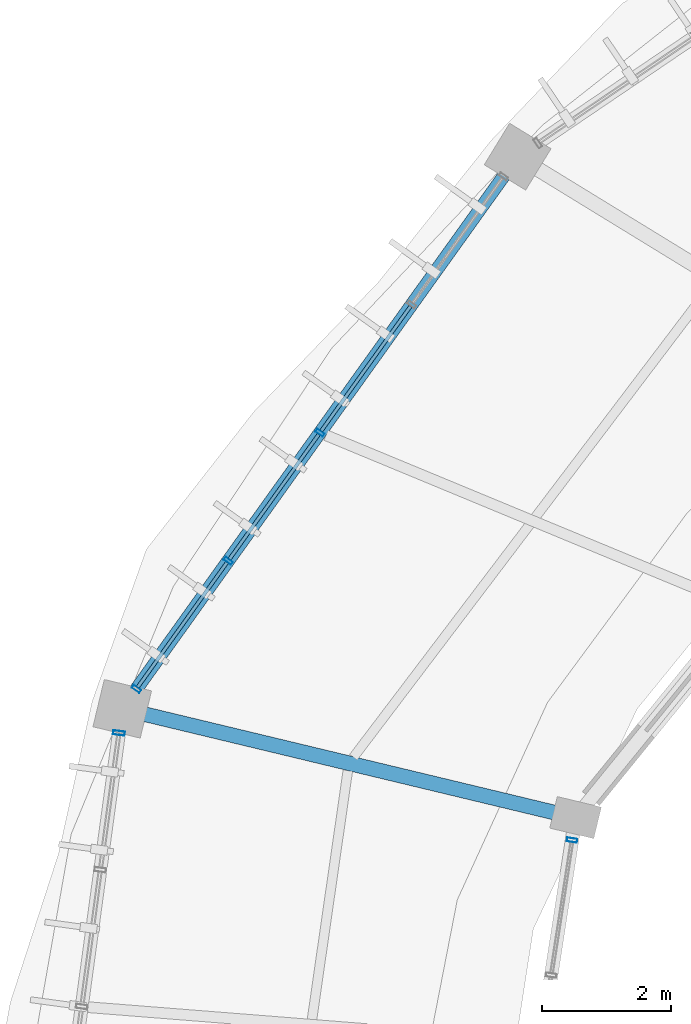
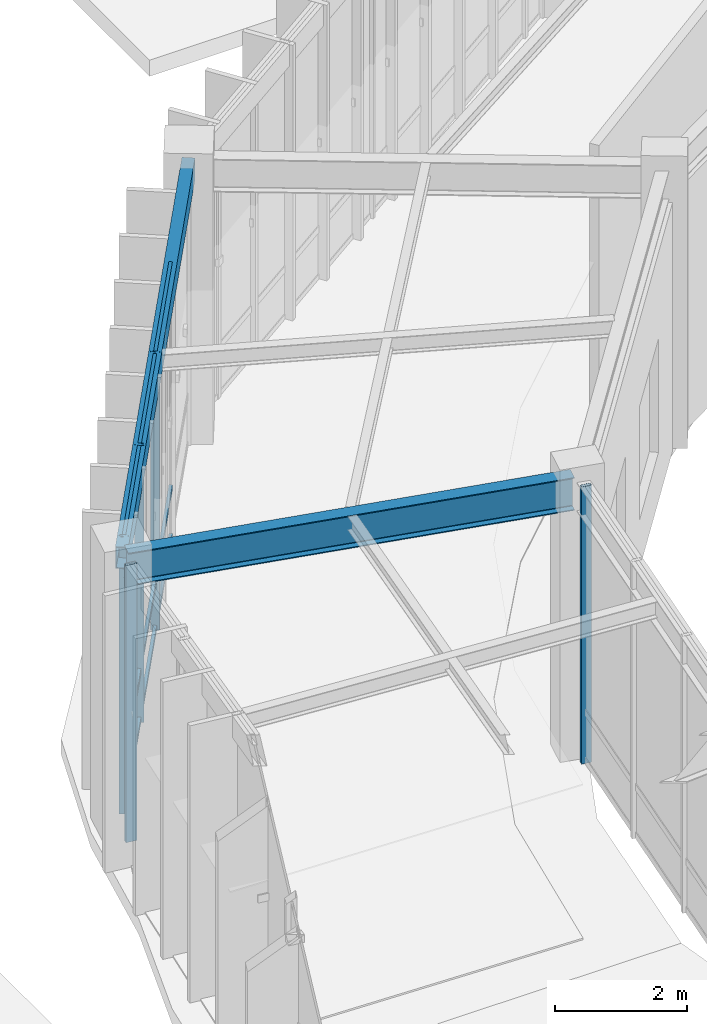
# One storey, part 49 of 157: 14 members, 2 beams, 3 elements without a shape of their own.
"""IFC4 building model written with IfcOpenShell, lengths in metres."""

from ifc_helpers import new_model, si_unit, direction, frame, origin, origin_2d, place, context, subcontext, project, spatial, hollow_rectangle, i_section, extrude, material, material_profile, profile_set, type_object, element, aggregate, save


model = new_model("IFC4")

# Units and contexts
model_context = context("Model", 3, precision=1e-05, world=origin(), true_north=direction((0.0, 1.0)))
body_context = subcontext(model_context, "Body", "Model", "MODEL_VIEW")
ifc_project = project(units=[si_unit("LENGTHUNIT", "METRE"), si_unit("AREAUNIT", "SQUARE_METRE"), si_unit("VOLUMEUNIT", "CUBIC_METRE"), si_unit("PLANEANGLEUNIT", "RADIAN"), si_unit("MASSUNIT", "GRAM", prefix="KILO"), si_unit("THERMODYNAMICTEMPERATUREUNIT", "KELVIN"), si_unit("POWERUNIT", "WATT")], contexts=[model_context])

# Site, building, storey
site_placement = place(None, origin())
site = spatial("IfcSite", under=ifc_project, at=site_placement, CompositionType="ELEMENT")
building_placement = place(site_placement, origin())
building = spatial("IfcBuilding", under=site, at=building_placement, Name="Darbajah Civic Hall", CompositionType="ELEMENT")
storey_placement = place(building_placement, origin())
storey = spatial("IfcBuildingStorey", under=building, at=storey_placement, Name="L00", CompositionType="ELEMENT", Elevation=0.0)

# Curtain wall, members
ifc_material_1 = material(Name="Anodised Bronze Aluminium and Low-E Glazing", Category="aluminium")
curtain_wall_type_1 = type_object("IfcCurtainWallType", Name="Unitised Curtain Wall CW-09 9700x5100", PredefinedType="USERDEFINED", material=ifc_material_1)
curtain_wall_1_placement = place(storey_placement, origin())
curtain_wall_1 = element("IfcCurtainWall", 1, at=curtain_wall_1_placement, inside=storey, type_object=curtain_wall_type_1, Name="L00 unitised curtain wall CW-V1O-L00-08", ObjectType="UNITISED CURTAIN WALL", PredefinedType="USERDEFINED")
ifc_material_2 = material(Name="Anodised Bronze Aluminium", Category="aluminium")
ifc_material_profile_1 = material_profile(ifc_material_2, hollow_rectangle(XDim=0.054931640625, YDim=0.139892578125, WallThickness=0.003173828125, at=origin_2d()), Name="ALU MULLION 55x140")
ifc_profile_set_1 = profile_set([ifc_material_profile_1], Name="Anodised Bronze Aluminium")
member_type_1 = type_object("IfcMemberType", Name="ALU MULLION 55x140", PredefinedType="MULLION", material=ifc_profile_set_1)
member_1_placement = place(storey_placement, frame((42.562255859375, 100.9501953125, 0.0), z_axis=(0.0, 0.0, 1.0), x_axis=(-0.582264874145, -0.812999149039, 0.0)))
member_1 = element("IfcMember", 2, at=member_1_placement, type_object=member_type_1, Name="CW-V1O-L00-08 mullion 3", PredefinedType="MULLION", context=body_context, shape_type="SweptSolid", body=[
    extrude(hollow_rectangle(XDim=0.054931640625, YDim=0.139892578125, WallThickness=0.003173828125, at=origin_2d()), origin(), (0.0, 0.0, 1.0), 5.1201171875),
])
member_2_placement = place(storey_placement, frame((41.1455078125, 98.9716796875, 0.0), z_axis=(0.0, 0.0, 1.0), x_axis=(-0.582264874145, -0.812999149039, 0.0)))
member_2 = element("IfcMember", 3, at=member_2_placement, type_object=member_type_1, Name="CW-V1O-L00-08 mullion 4", PredefinedType="MULLION", context=body_context, shape_type="SweptSolid", body=[
    extrude(hollow_rectangle(XDim=0.054931640625, YDim=0.139892578125, WallThickness=0.003173828125, at=origin_2d()), origin(), (0.0, 0.0, 1.0), 5.1201171875),
])
member_3_placement = place(storey_placement, frame((39.728515625, 96.9931640625, 0.0), z_axis=(0.0, 0.0, 1.0), x_axis=(-0.582264874145, -0.812999149039, 0.0)))
member_3 = element("IfcMember", 4, at=member_3_placement, type_object=member_type_1, Name="CW-V1O-L00-08 mullion 5", PredefinedType="MULLION", context=body_context, shape_type="SweptSolid", body=[
    extrude(hollow_rectangle(XDim=0.054931640625, YDim=0.139892578125, WallThickness=0.003173828125, at=origin_2d()), origin(), (0.0, 0.0, 1.0), 5.1201171875),
])

# Curtain wall, member
curtain_wall_type_2 = type_object("IfcCurtainWallType", Name="Unitised Curtain Wall CW-11 6300x5100", PredefinedType="USERDEFINED", material=ifc_material_1)
curtain_wall_2_placement = place(storey_placement, origin())
curtain_wall_2 = element("IfcCurtainWall", 5, at=curtain_wall_2_placement, inside=storey, type_object=curtain_wall_type_2, Name="L00 unitised curtain wall CW-V1I-L00-09", ObjectType="UNITISED CURTAIN WALL", PredefinedType="USERDEFINED")
ifc_material_profile_2 = material_profile(ifc_material_2, hollow_rectangle(XDim=0.06005859375, YDim=0.159912109375, WallThickness=0.00341796875, at=origin_2d()), Name="ALU MULLION 60x160")
ifc_profile_set_2 = profile_set([ifc_material_profile_2], Name="Anodised Bronze Aluminium")
member_type_2 = type_object("IfcMemberType", Name="ALU MULLION 60x160", PredefinedType="MULLION", material=ifc_profile_set_2)
member_4_placement = place(storey_placement, frame((46.456298828125, 94.657958984375, 0.0), z_axis=(0.0, 0.0, 1.0), x_axis=(-0.152813355565, -0.98825506746, 0.0)))
member_4 = element("IfcMember", 6, at=member_4_placement, type_object=member_type_2, Name="CW-V1I-L00-09 mullion 1", PredefinedType="MULLION", context=body_context, shape_type="SweptSolid", body=[
    extrude(hollow_rectangle(XDim=0.06005859375, YDim=0.159912109375, WallThickness=0.00341796875, at=origin_2d()), origin(), (0.0, 0.0, 1.0), 5.1201171875),
])
aggregate(curtain_wall_2, [member_4])

curtain_wall_type_3 = type_object("IfcCurtainWallType", Name="Unitised Curtain Wall CW-10 8500x5100", PredefinedType="USERDEFINED", material=ifc_material_1)
curtain_wall_3_placement = place(storey_placement, origin())
curtain_wall_3 = element("IfcCurtainWall", 7, at=curtain_wall_3_placement, inside=storey, type_object=curtain_wall_type_3, Name="L00 unitised curtain wall CW-V1O-L00-09", ObjectType="UNITISED CURTAIN WALL", PredefinedType="USERDEFINED")
ifc_material_profile_3 = material_profile(ifc_material_2, hollow_rectangle(XDim=0.06494140625, YDim=0.179931640625, WallThickness=0.00390625, at=origin_2d()), Name="ALU MULLION 65x180")
ifc_profile_set_3 = profile_set([ifc_material_profile_3], Name="Anodised Bronze Aluminium")
member_type_3 = type_object("IfcMemberType", Name="ALU MULLION 65x180", PredefinedType="MULLION", material=ifc_profile_set_3)
member_5_placement = place(storey_placement, frame((39.458251953125, 96.31298828125, 0.0), z_axis=(0.0, 0.0, 1.0), x_axis=(-0.134850930274, -0.990865897387, 0.0)))
member_5 = element("IfcMember", 8, at=member_5_placement, type_object=member_type_3, Name="CW-V1O-L00-09 mullion 1", PredefinedType="MULLION", context=body_context, shape_type="SweptSolid", body=[
    extrude(hollow_rectangle(XDim=0.06494140625, YDim=0.179931640625, WallThickness=0.00390625, at=origin_2d()), origin(), (0.0, 0.0, 1.0), 5.1201171875),
])
aggregate(curtain_wall_3, [member_5])

# Member
ifc_material_profile_4 = material_profile(ifc_material_2, hollow_rectangle(XDim=0.054931640625, YDim=0.10009765625, WallThickness=0.0029296875, at=origin_2d()), Name="ALU TRANSOM 55x100")
ifc_profile_set_4 = profile_set([ifc_material_profile_4], Name="Anodised Bronze Aluminium")
member_type_4 = type_object("IfcMemberType", Name="ALU TRANSOM 55x100", PredefinedType="USERDEFINED", material=ifc_profile_set_4)
member_6_placement = place(storey_placement, frame((43.960205078125, 102.90234375, 0.050048828125), z_axis=(-0.582173851655, -0.813064331065, 0.0), x_axis=(0.813064331065, -0.582173851655, 0.0)))
member_6 = element("IfcMember", 9, at=member_6_placement, type_object=member_type_4, Name="CW-V1O-L00-08 transom 2.1", ObjectType="TRANSOM", PredefinedType="USERDEFINED", context=body_context, shape_type="SweptSolid", body=[
    extrude(hollow_rectangle(XDim=0.054931640625, YDim=0.10009765625, WallThickness=0.0029296875, at=origin_2d()), origin(), (0.0, 0.0, 1.0), 2.36865234375),
])

member_7_placement = place(storey_placement, frame((43.960205078125, 102.90234375, 0.949951171875), z_axis=(-0.582173851655, -0.813064331065, 0.0), x_axis=(0.813064331065, -0.582173851655, 0.0)))
member_7 = element("IfcMember", 10, at=member_7_placement, type_object=member_type_4, Name="CW-V1O-L00-08 transom 2.2", ObjectType="TRANSOM", PredefinedType="USERDEFINED", context=body_context, shape_type="SweptSolid", body=[
    extrude(hollow_rectangle(XDim=0.054931640625, YDim=0.10009765625, WallThickness=0.0029296875, at=origin_2d()), origin(), (0.0, 0.0, 1.0), 2.36865234375),
])

member_8_placement = place(storey_placement, frame((43.960205078125, 102.90234375, 5.070068359375), z_axis=(-0.582173851655, -0.813064331065, 0.0), x_axis=(0.813064331065, -0.582173851655, 0.0)))
member_8 = element("IfcMember", 11, at=member_8_placement, type_object=member_type_4, Name="CW-V1O-L00-08 transom 2.3", ObjectType="TRANSOM", PredefinedType="USERDEFINED", context=body_context, shape_type="SweptSolid", body=[
    extrude(hollow_rectangle(XDim=0.054931640625, YDim=0.10009765625, WallThickness=0.0029296875, at=origin_2d()), origin(), (0.0, 0.0, 1.0), 2.36865234375),
])

member_9_placement = place(storey_placement, frame((42.543212890625, 100.923583984375, 0.050048828125), z_axis=(-0.582222645234, -0.813029391459, 0.0), x_axis=(0.813029391459, -0.582222645234, 0.0)))
member_9 = element("IfcMember", 12, at=member_9_placement, type_object=member_type_4, Name="CW-V1O-L00-08 transom 3.1", ObjectType="TRANSOM", PredefinedType="USERDEFINED", context=body_context, shape_type="SweptSolid", body=[
    extrude(hollow_rectangle(XDim=0.054931640625, YDim=0.10009765625, WallThickness=0.0029296875, at=origin_2d()), origin(), (0.0, 0.0, 1.0), 2.368408203125),
])

member_10_placement = place(storey_placement, frame((42.543212890625, 100.923583984375, 0.949951171875), z_axis=(-0.582222645234, -0.813029391459, 0.0), x_axis=(0.813029391459, -0.582222645234, 0.0)))
member_10 = element("IfcMember", 13, at=member_10_placement, type_object=member_type_4, Name="CW-V1O-L00-08 transom 3.2", ObjectType="TRANSOM", PredefinedType="USERDEFINED", context=body_context, shape_type="SweptSolid", body=[
    extrude(hollow_rectangle(XDim=0.054931640625, YDim=0.10009765625, WallThickness=0.0029296875, at=origin_2d()), origin(), (0.0, 0.0, 1.0), 2.368408203125),
])

member_11_placement = place(storey_placement, frame((42.543212890625, 100.923583984375, 5.070068359375), z_axis=(-0.582222645234, -0.813029391459, 0.0), x_axis=(0.813029391459, -0.582222645234, 0.0)))
member_11 = element("IfcMember", 14, at=member_11_placement, type_object=member_type_4, Name="CW-V1O-L00-08 transom 3.3", ObjectType="TRANSOM", PredefinedType="USERDEFINED", context=body_context, shape_type="SweptSolid", body=[
    extrude(hollow_rectangle(XDim=0.054931640625, YDim=0.10009765625, WallThickness=0.0029296875, at=origin_2d()), origin(), (0.0, 0.0, 1.0), 2.368408203125),
])

member_12_placement = place(storey_placement, frame((41.12646484375, 98.9453125, 0.050048828125), z_axis=(-0.582173851655, -0.813064331065, 0.0), x_axis=(0.813064331065, -0.582173851655, 0.0)))
member_12 = element("IfcMember", 15, at=member_12_placement, type_object=member_type_4, Name="CW-V1O-L00-08 transom 4.1", ObjectType="TRANSOM", PredefinedType="USERDEFINED", context=body_context, shape_type="SweptSolid", body=[
    extrude(hollow_rectangle(XDim=0.054931640625, YDim=0.10009765625, WallThickness=0.0029296875, at=origin_2d()), origin(), (0.0, 0.0, 1.0), 2.36865234375),
])

member_13_placement = place(storey_placement, frame((41.12646484375, 98.9453125, 0.949951171875), z_axis=(-0.582173851655, -0.813064331065, 0.0), x_axis=(0.813064331065, -0.582173851655, 0.0)))
member_13 = element("IfcMember", 16, at=member_13_placement, type_object=member_type_4, Name="CW-V1O-L00-08 transom 4.2", ObjectType="TRANSOM", PredefinedType="USERDEFINED", context=body_context, shape_type="SweptSolid", body=[
    extrude(hollow_rectangle(XDim=0.054931640625, YDim=0.10009765625, WallThickness=0.0029296875, at=origin_2d()), origin(), (0.0, 0.0, 1.0), 2.36865234375),
])

member_14_placement = place(storey_placement, frame((41.12646484375, 98.9453125, 5.070068359375), z_axis=(-0.582173851655, -0.813064331065, 0.0), x_axis=(0.813064331065, -0.582173851655, 0.0)))
member_14 = element("IfcMember", 17, at=member_14_placement, type_object=member_type_4, Name="CW-V1O-L00-08 transom 4.3", ObjectType="TRANSOM", PredefinedType="USERDEFINED", context=body_context, shape_type="SweptSolid", body=[
    extrude(hollow_rectangle(XDim=0.054931640625, YDim=0.10009765625, WallThickness=0.0029296875, at=origin_2d()), origin(), (0.0, 0.0, 1.0), 2.36865234375),
])

aggregate(curtain_wall_1, [member_1, member_2, member_3, member_6, member_7, member_8, member_9, member_10, member_11, member_12, member_13, member_14])

# Beams
ifc_material_3 = material(Name="Steel S355JR", Category="steel")
ifc_material_profile_5 = material_profile(ifc_material_3, hollow_rectangle(XDim=0.199951171875, YDim=0.39990234375, WallThickness=0.013916015625, at=origin_2d()), Name="RHS 400x200x14")
ifc_profile_set_5 = profile_set([ifc_material_profile_5], Name="Steel S355JR")
beam_type_1 = type_object("IfcBeamType", Name="RHS 400x200x14", PredefinedType="SPANDREL", material=ifc_profile_set_5)
beam_1_placement = place(storey_placement, frame((45.56884765625, 105.148681640625, 4.919921875), z_axis=(-0.58222165068, -0.813030103674, 0.0), x_axis=(0.813030103674, -0.58222165068, 0.0)))
element("IfcBeam", 18, at=beam_1_placement, inside=storey, type_object=beam_type_1, Name="L00 beam SP-RHS400", PredefinedType="SPANDREL", context=body_context, shape_type="SweptSolid", body=[
    extrude(hollow_rectangle(XDim=0.199951171875, YDim=0.39990234375, WallThickness=0.013916015625, at=origin_2d()), origin(), (0.0, 0.0, 1.0), 10.327880859375),
])
ifc_material_profile_6 = material_profile(ifc_material_3, i_section(OverallWidth=0.228271484375, OverallDepth=0.607666015625, WebThickness=0.010986328125, FlangeThickness=0.017333984375, FilletRadius=0.0126953125, at=origin_2d()), Name="UB 610x229x113")
ifc_profile_set_6 = profile_set([ifc_material_profile_6], Name="Steel S355JR")
beam_type_2 = type_object("IfcBeamType", Name="UB 610x229x113", PredefinedType="BEAM", material=ifc_profile_set_6)
beam_2_placement = place(storey_placement, frame((46.432373046875, 95.0244140625, 4.816162109375), z_axis=(-0.972366522162, 0.233459518071, 0.0), x_axis=(-0.233459518071, -0.972366522162, 0.0)))
element("IfcBeam", 19, at=beam_2_placement, inside=storey, type_object=beam_type_2, Name="L00 beam SB-610", PredefinedType="BEAM", context=body_context, shape_type="SweptSolid", body=[
    extrude(i_section(OverallWidth=0.228271484375, OverallDepth=0.607666015625, WebThickness=0.010986328125, FlangeThickness=0.017333984375, FilletRadius=0.0126953125, at=origin_2d()), origin(), (0.0, 0.0, 1.0), 7.0400390625),
])

save(model, "model.ifc")
